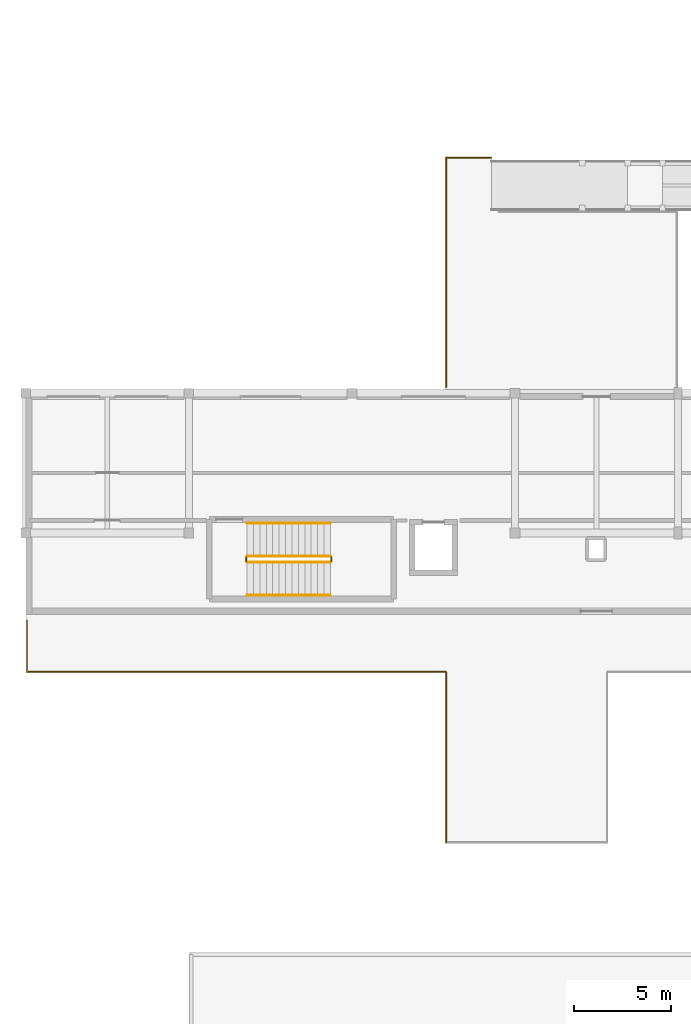
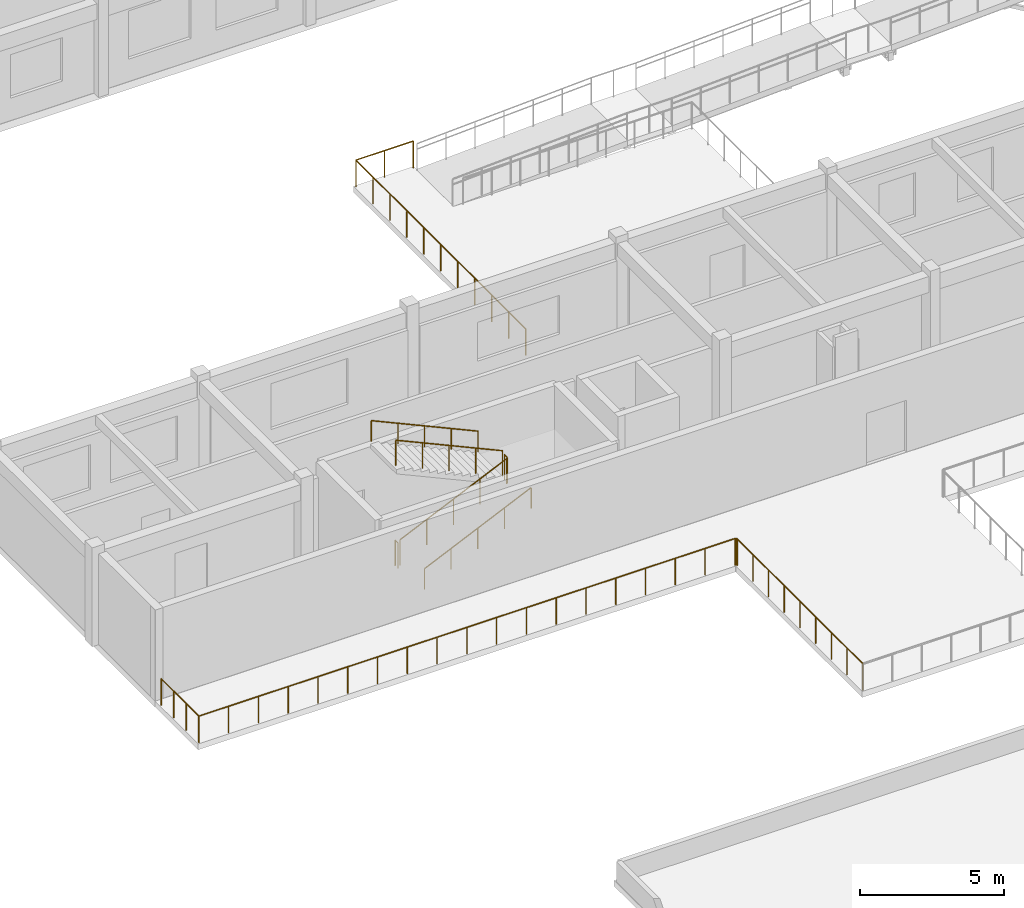
# One storey, part 35 of 41: 8 railings.
"""IFC4 building model written with IfcOpenShell, lengths in metres."""

from ifc_helpers import new_model, si_unit, direction, frame, origin, origin_2d, place, context, subcontext, project, spatial, circle, extrude, material, layer, layer_set, type_object, element, save


model = new_model("IFC4")

# Units and contexts
model_context = context("Model", 3, precision=1e-05, world=origin(), true_north=direction((0.0, 1.0)))
body_context = subcontext(model_context, "Body", "Model", "MODEL_VIEW")
ifc_project = project(units=[si_unit("LENGTHUNIT", "METRE"), si_unit("AREAUNIT", "SQUARE_METRE"), si_unit("VOLUMEUNIT", "CUBIC_METRE"), si_unit("PLANEANGLEUNIT", "RADIAN"), si_unit("MASSUNIT", "GRAM", prefix="KILO")], contexts=[model_context])

# Site, building, storey
site_placement = place(None, origin())
site = spatial("IfcSite", under=ifc_project, at=site_placement, CompositionType="ELEMENT")
building_placement = place(site_placement, origin())
building = spatial("IfcBuilding", under=site, at=building_placement, Name="Malvenik Polytechnic", CompositionType="ELEMENT")
storey_placement = place(building_placement, frame((0.0, 0.0, 17.699951171875)))
storey = spatial("IfcBuildingStorey", under=building, at=storey_placement, Name="L04", CompositionType="ELEMENT", Elevation=17.699951171875)

# Railings
ifc_material_1 = material(Name="Galvanised powder-coated steel and laminated glass guard 1150mm", Category="steel")
ifc_layer_1 = layer(ifc_material_1, 0.070068359375)
ifc_layer_set_1 = layer_set([ifc_layer_1], Name="Galvanised powder-coated steel and laminated glass guard 1150mm")
railing_type_1 = type_object("IfcRailingType", Name="ARC-RL-BAL-1150", PredefinedType="BALUSTRADE", material=ifc_layer_set_1)
railing_1_placement = place(storey_placement, frame((21.659912109375, 70.4599609375, 0.0)))
element("IfcRailing", 1, at=railing_1_placement, inside=storey, type_object=railing_type_1, Name="Terrace Perimeter Balustrade L04 #16", PredefinedType="BALUSTRADE", context=body_context, shape_type="SweptSolid", body=[
    extrude(circle(Radius=0.02392578125, at=origin_2d()), frame((0.0, 0.0, 1.1259765625), z_axis=(0.0, 1.0, 0.0), x_axis=(-1.0, 0.0, 0.0)), (0.0, 0.0, 1.0), 8.739990234375),
    extrude(circle(Radius=0.02392578125, at=origin_2d()), frame((0.0, 8.739990234375, 1.1259765625), z_axis=(-0.041630544712, 0.999133073092, 0.0), x_axis=(-0.999133073092, -0.041630544712, 0.0)), (0.0, 0.0, 1.0), 0.005859375),
    extrude(circle(Radius=0.02392578125, at=origin_2d()), frame((-0.000244140625, 8.745849609375, 1.1259765625), z_axis=(-0.164398987305, 0.986393923832, 0.0), x_axis=(-0.986393923832, -0.164398987305, 0.0)), (0.0, 0.0, 1.0), 0.005859375),
    extrude(circle(Radius=0.02392578125, at=origin_2d()), frame((-0.001220703125, 8.751708984375, 1.1259765625), z_axis=(-0.212429644331, 0.977176363923, 0.0), x_axis=(-0.977176363923, -0.212429644331, 0.0)), (0.0, 0.0, 1.0), 0.005859375),
    extrude(circle(Radius=0.02392578125, at=origin_2d()), frame((-0.00244140625, 8.75732421875, 1.1259765625), z_axis=(-0.328520624941, 0.944496796706, 0.0), x_axis=(-0.944496796706, -0.328520624941, 0.0)), (0.0, 0.0, 1.0), 0.005859375),
    extrude(circle(Radius=0.02392578125, at=origin_2d()), frame((-0.00439453125, 8.762939453125, 1.1259765625), z_axis=(-0.4472135955, 0.894427191, 0.0), x_axis=(-0.894427191, -0.4472135955, 0.0)), (0.0, 0.0, 1.0), 0.006103515625),
    extrude(circle(Radius=0.02392578125, at=origin_2d()), frame((-0.007080078125, 8.768310546875, 1.1259765625), z_axis=(-0.496138938357, 0.868243142124, 0.0), x_axis=(-0.868243142124, -0.496138938357, 0.0)), (0.0, 0.0, 1.0), 0.005859375),
    extrude(circle(Radius=0.02392578125, at=origin_2d()), frame((-0.010009765625, 8.7734375, 1.1259765625), z_axis=(-0.59319903805, 0.805055837353, 0.0), x_axis=(-0.805055837353, -0.59319903805, 0.0)), (0.0, 0.0, 1.0), 0.005859375),
    extrude(circle(Radius=0.02392578125, at=origin_2d()), frame((-0.013427734375, 8.778076171875, 1.1259765625), z_axis=(-0.686623532964, 0.72701315255, 0.0), x_axis=(-0.72701315255, -0.686623532964, 0.0)), (0.0, 0.0, 1.0), 0.006103515625),
    extrude(circle(Radius=0.02392578125, at=origin_2d()), frame((-0.017578125, 8.782470703125, 1.1259765625), z_axis=(-0.728199992693, 0.685364699005, 0.0), x_axis=(-0.685364699005, -0.728199992693, 0.0)), (0.0, 0.0, 1.0), 0.005615234375),
    extrude(circle(Radius=0.02392578125, at=origin_2d()), frame((-0.021728515625, 8.786376953125, 1.1259765625), z_axis=(-0.8, 0.6, 0.0), x_axis=(-0.6, -0.8, 0.0)), (0.0, 0.0, 1.0), 0.006103515625),
    extrude(circle(Radius=0.02392578125, at=origin_2d()), frame((-0.026611328125, 8.7900390625, 1.1259765625), z_axis=(-0.857492925713, 0.514495755428, 0.0), x_axis=(-0.514495755428, -0.857492925713, 0.0)), (0.0, 0.0, 1.0), 0.005615234375),
    extrude(circle(Radius=0.02392578125, at=origin_2d()), frame((-0.031494140625, 8.79296875, 1.1259765625), z_axis=(-0.910366477463, 0.413802944301, 0.0), x_axis=(-0.413802944301, -0.910366477463, 0.0)), (0.0, 0.0, 1.0), 0.005859375),
    extrude(circle(Radius=0.02392578125, at=origin_2d()), frame((-0.036865234375, 8.79541015625, 1.1259765625), z_axis=(-0.944496796706, 0.328520624941, 0.0), x_axis=(-0.328520624941, -0.944496796706, 0.0)), (0.0, 0.0, 1.0), 0.005859375),
    extrude(circle(Radius=0.02392578125, at=origin_2d()), frame((-0.04248046875, 8.79736328125, 1.1259765625), z_axis=(-0.967617272397, 0.252421897147, 0.0), x_axis=(-0.252421897147, -0.967617272397, 0.0)), (0.0, 0.0, 1.0), 0.005859375),
    extrude(circle(Radius=0.02392578125, at=origin_2d()), frame((-0.048095703125, 8.798828125, 1.1259765625), z_axis=(-0.986393923832, 0.164398987305, 0.0), x_axis=(-0.164398987305, -0.986393923832, 0.0)), (0.0, 0.0, 1.0), 0.005859375),
    extrude(circle(Radius=0.02392578125, at=origin_2d()), frame((-0.053955078125, 8.7998046875, 1.1259765625), z_axis=(-0.999133073092, 0.041630544712, 0.0), x_axis=(-0.041630544712, -0.999133073092, 0.0)), (0.0, 0.0, 1.0), 0.005859375),
    extrude(circle(Radius=0.02392578125, at=origin_2d()), frame((-0.059814453125, 8.800048828125, 1.1259765625), z_axis=(-1.0, 0.0, 0.0), x_axis=(0.0, -1.0, 0.0)), (0.0, 0.0, 1.0), 21.5400390625),
    extrude(circle(Radius=0.02392578125, at=origin_2d()), frame((-21.599853515625, 8.800048828125, 1.1259765625), z_axis=(0.0, 1.0, 0.0), x_axis=(-1.0, 0.0, 0.0)), (0.0, 0.0, 1.0), 2.619873046875),
    extrude(circle(Radius=0.02099609375, at=origin_2d()), origin(), (0.0, 0.0, 1.0), 1.101806640625),
    extrude(circle(Radius=0.02099609375, at=origin_2d()), frame((0.0, 1.092529296875, 0.0)), (0.0, 0.0, 1.0), 1.101806640625),
    extrude(circle(Radius=0.02099609375, at=origin_2d()), frame((0.0, 2.18505859375, 0.0)), (0.0, 0.0, 1.0), 1.101806640625),
    extrude(circle(Radius=0.02099609375, at=origin_2d()), frame((0.0, 3.277587890625, 0.0)), (0.0, 0.0, 1.0), 1.101806640625),
    extrude(circle(Radius=0.02099609375, at=origin_2d()), frame((0.0, 4.3701171875, 0.0)), (0.0, 0.0, 1.0), 1.101806640625),
    extrude(circle(Radius=0.02099609375, at=origin_2d()), frame((0.0, 5.46240234375, 0.0)), (0.0, 0.0, 1.0), 1.101806640625),
    extrude(circle(Radius=0.02099609375, at=origin_2d()), frame((0.0, 6.554931640625, 0.0)), (0.0, 0.0, 1.0), 1.101806640625),
    extrude(circle(Radius=0.02099609375, at=origin_2d()), frame((0.0, 7.6474609375, 0.0)), (0.0, 0.0, 1.0), 1.101806640625),
    extrude(circle(Radius=0.02099609375, at=origin_2d()), frame((0.0, 8.739990234375, 0.0)), (0.0, 0.0, 1.0), 1.101806640625),
    extrude(circle(Radius=0.02099609375, at=origin_2d()), frame((-0.000244140625, 8.745849609375, 0.0)), (0.0, 0.0, 1.0), 1.101806640625),
    extrude(circle(Radius=0.02099609375, at=origin_2d()), frame((-0.001220703125, 8.751708984375, 0.0)), (0.0, 0.0, 1.0), 1.101806640625),
    extrude(circle(Radius=0.02099609375, at=origin_2d()), frame((-0.00244140625, 8.75732421875, 0.0)), (0.0, 0.0, 1.0), 1.101806640625),
    extrude(circle(Radius=0.02099609375, at=origin_2d()), frame((-0.00439453125, 8.762939453125, 0.0)), (0.0, 0.0, 1.0), 1.101806640625),
    extrude(circle(Radius=0.02099609375, at=origin_2d()), frame((-0.007080078125, 8.768310546875, 0.0)), (0.0, 0.0, 1.0), 1.101806640625),
    extrude(circle(Radius=0.02099609375, at=origin_2d()), frame((-0.010009765625, 8.7734375, 0.0)), (0.0, 0.0, 1.0), 1.101806640625),
    extrude(circle(Radius=0.02099609375, at=origin_2d()), frame((-0.013427734375, 8.778076171875, 0.0)), (0.0, 0.0, 1.0), 1.101806640625),
    extrude(circle(Radius=0.02099609375, at=origin_2d()), frame((-0.017578125, 8.782470703125, 0.0)), (0.0, 0.0, 1.0), 1.101806640625),
    extrude(circle(Radius=0.02099609375, at=origin_2d()), frame((-0.021728515625, 8.786376953125, 0.0)), (0.0, 0.0, 1.0), 1.101806640625),
    extrude(circle(Radius=0.02099609375, at=origin_2d()), frame((-0.026611328125, 8.7900390625, 0.0)), (0.0, 0.0, 1.0), 1.101806640625),
    extrude(circle(Radius=0.02099609375, at=origin_2d()), frame((-0.031494140625, 8.79296875, 0.0)), (0.0, 0.0, 1.0), 1.101806640625),
    extrude(circle(Radius=0.02099609375, at=origin_2d()), frame((-0.036865234375, 8.79541015625, 0.0)), (0.0, 0.0, 1.0), 1.101806640625),
    extrude(circle(Radius=0.02099609375, at=origin_2d()), frame((-0.04248046875, 8.79736328125, 0.0)), (0.0, 0.0, 1.0), 1.101806640625),
    extrude(circle(Radius=0.02099609375, at=origin_2d()), frame((-0.048095703125, 8.798828125, 0.0)), (0.0, 0.0, 1.0), 1.101806640625),
    extrude(circle(Radius=0.02099609375, at=origin_2d()), frame((-0.053955078125, 8.7998046875, 0.0)), (0.0, 0.0, 1.0), 1.101806640625),
    extrude(circle(Radius=0.02099609375, at=origin_2d()), frame((-0.059814453125, 8.800048828125, 0.0)), (0.0, 0.0, 1.0), 1.101806640625),
    extrude(circle(Radius=0.02099609375, at=origin_2d()), frame((-1.256591796875, 8.800048828125, 0.0)), (0.0, 0.0, 1.0), 1.101806640625),
    extrude(circle(Radius=0.02099609375, at=origin_2d()), frame((-2.453125, 8.800048828125, 0.0)), (0.0, 0.0, 1.0), 1.101806640625),
    extrude(circle(Radius=0.02099609375, at=origin_2d()), frame((-3.64990234375, 8.800048828125, 0.0)), (0.0, 0.0, 1.0), 1.101806640625),
    extrude(circle(Radius=0.02099609375, at=origin_2d()), frame((-4.846435546875, 8.800048828125, 0.0)), (0.0, 0.0, 1.0), 1.101806640625),
    extrude(circle(Radius=0.02099609375, at=origin_2d()), frame((-6.043212890625, 8.800048828125, 0.0)), (0.0, 0.0, 1.0), 1.101806640625),
    extrude(circle(Radius=0.02099609375, at=origin_2d()), frame((-7.23974609375, 8.800048828125, 0.0)), (0.0, 0.0, 1.0), 1.101806640625),
    extrude(circle(Radius=0.02099609375, at=origin_2d()), frame((-8.4365234375, 8.800048828125, 0.0)), (0.0, 0.0, 1.0), 1.101806640625),
    extrude(circle(Radius=0.02099609375, at=origin_2d()), frame((-9.633056640625, 8.800048828125, 0.0)), (0.0, 0.0, 1.0), 1.101806640625),
    extrude(circle(Radius=0.02099609375, at=origin_2d()), frame((-10.829833984375, 8.800048828125, 0.0)), (0.0, 0.0, 1.0), 1.101806640625),
    extrude(circle(Radius=0.02099609375, at=origin_2d()), frame((-12.026611328125, 8.800048828125, 0.0)), (0.0, 0.0, 1.0), 1.101806640625),
    extrude(circle(Radius=0.02099609375, at=origin_2d()), frame((-13.22314453125, 8.800048828125, 0.0)), (0.0, 0.0, 1.0), 1.101806640625),
    extrude(circle(Radius=0.02099609375, at=origin_2d()), frame((-14.419921875, 8.800048828125, 0.0)), (0.0, 0.0, 1.0), 1.101806640625),
    extrude(circle(Radius=0.02099609375, at=origin_2d()), frame((-15.616455078125, 8.800048828125, 0.0)), (0.0, 0.0, 1.0), 1.101806640625),
    extrude(circle(Radius=0.02099609375, at=origin_2d()), frame((-16.813232421875, 8.800048828125, 0.0)), (0.0, 0.0, 1.0), 1.101806640625),
    extrude(circle(Radius=0.02099609375, at=origin_2d()), frame((-18.009765625, 8.800048828125, 0.0)), (0.0, 0.0, 1.0), 1.101806640625),
    extrude(circle(Radius=0.02099609375, at=origin_2d()), frame((-19.20654296875, 8.800048828125, 0.0)), (0.0, 0.0, 1.0), 1.101806640625),
    extrude(circle(Radius=0.02099609375, at=origin_2d()), frame((-20.403076171875, 8.800048828125, 0.0)), (0.0, 0.0, 1.0), 1.101806640625),
    extrude(circle(Radius=0.02099609375, at=origin_2d()), frame((-21.599853515625, 8.800048828125, 0.0)), (0.0, 0.0, 1.0), 1.101806640625),
    extrude(circle(Radius=0.02099609375, at=origin_2d()), frame((-21.599853515625, 9.67333984375, 0.0)), (0.0, 0.0, 1.0), 1.101806640625),
    extrude(circle(Radius=0.02099609375, at=origin_2d()), frame((-21.599853515625, 10.546630859375, 0.0)), (0.0, 0.0, 1.0), 1.101806640625),
    extrude(circle(Radius=0.02099609375, at=origin_2d()), frame((-21.599853515625, 11.419921875, 0.0)), (0.0, 0.0, 1.0), 1.101806640625),
])
railing_2_placement = place(storey_placement, frame((21.659912109375, 93.919921875, 0.0)))
element("IfcRailing", 2, at=railing_2_placement, inside=storey, type_object=railing_type_1, Name="Terrace Perimeter Balustrade L04 #18", PredefinedType="BALUSTRADE", context=body_context, shape_type="SweptSolid", body=[
    extrude(circle(Radius=0.02392578125, at=origin_2d()), frame((0.0, 0.0, 1.1259765625), z_axis=(0.0, 1.0, 0.0), x_axis=(-1.0, 0.0, 0.0)), (0.0, 0.0, 1.0), 11.820068359375),
    extrude(circle(Radius=0.02392578125, at=origin_2d()), frame((0.0, 11.820068359375, 1.1259765625), z_axis=(1.0, 0.0, 0.0), x_axis=(0.0, 1.0, 0.0)), (0.0, 0.0, 1.0), 2.300048828125),
    extrude(circle(Radius=0.02392578125, at=origin_2d()), frame((2.300048828125, 11.820068359375, 1.1259765625), z_axis=(0.0, -1.0, 0.0), x_axis=(1.0, 0.0, 0.0)), (0.0, 0.0, 1.0), 0.02001953125),
    extrude(circle(Radius=0.02099609375, at=origin_2d()), origin(), (0.0, 0.0, 1.0), 1.101806640625),
    extrude(circle(Radius=0.02099609375, at=origin_2d()), frame((0.0, 1.18212890625, 0.0)), (0.0, 0.0, 1.0), 1.101806640625),
    extrude(circle(Radius=0.02099609375, at=origin_2d()), frame((0.0, 2.364013671875, 0.0)), (0.0, 0.0, 1.0), 1.101806640625),
    extrude(circle(Radius=0.02099609375, at=origin_2d()), frame((0.0, 3.5458984375, 0.0)), (0.0, 0.0, 1.0), 1.101806640625),
    extrude(circle(Radius=0.02099609375, at=origin_2d()), frame((0.0, 4.72802734375, 0.0)), (0.0, 0.0, 1.0), 1.101806640625),
    extrude(circle(Radius=0.02099609375, at=origin_2d()), frame((0.0, 5.91015625, 0.0)), (0.0, 0.0, 1.0), 1.101806640625),
    extrude(circle(Radius=0.02099609375, at=origin_2d()), frame((0.0, 7.092041015625, 0.0)), (0.0, 0.0, 1.0), 1.101806640625),
    extrude(circle(Radius=0.02099609375, at=origin_2d()), frame((0.0, 8.27392578125, 0.0)), (0.0, 0.0, 1.0), 1.101806640625),
    extrude(circle(Radius=0.02099609375, at=origin_2d()), frame((0.0, 9.4560546875, 0.0)), (0.0, 0.0, 1.0), 1.101806640625),
    extrude(circle(Radius=0.02099609375, at=origin_2d()), frame((0.0, 10.63818359375, 0.0)), (0.0, 0.0, 1.0), 1.101806640625),
    extrude(circle(Radius=0.02099609375, at=origin_2d()), frame((0.0, 11.820068359375, 0.0)), (0.0, 0.0, 1.0), 1.101806640625),
    extrude(circle(Radius=0.02099609375, at=origin_2d()), frame((1.14990234375, 11.820068359375, 0.0)), (0.0, 0.0, 1.0), 1.101806640625),
    extrude(circle(Radius=0.02099609375, at=origin_2d()), frame((2.300048828125, 11.820068359375, 0.0)), (0.0, 0.0, 1.0), 1.101806640625),
    extrude(circle(Radius=0.02099609375, at=origin_2d()), frame((2.300048828125, 11.800048828125, 0.0)), (0.0, 0.0, 1.0), 1.101806640625),
])
ifc_material_2 = material(Name="Painted galvanised steel stair well balustrade 1100mm", Category="steel")
ifc_layer_2 = layer(ifc_material_2, 0.050048828125)
ifc_layer_set_2 = layer_set([ifc_layer_2], Name="Painted galvanised steel stair well balustrade 1100mm")
railing_type_2 = type_object("IfcRailingType", Name="ARC-RL-STGD", PredefinedType="BALUSTRADE", material=ifc_layer_set_2)
railing_3_placement = place(storey_placement, frame((11.39990234375, 84.89990234375, 0.150146484375)))
element("IfcRailing", 3, at=railing_3_placement, inside=storey, type_object=railing_type_2, Name="L04 ST-04 stair guard 1", PredefinedType="BALUSTRADE", context=body_context, shape_type="SweptSolid", body=[
    extrude(circle(Radius=0.02392578125, at=origin_2d()), frame((0.0, 0.0, 1.076171875), z_axis=(0.910371800137, 0.0, 0.413791234219), x_axis=(0.0, 1.0, 0.0)), (0.0, 0.0, 1.0), 4.71240234375),
    extrude(circle(Radius=0.02099609375, at=origin_2d()), origin(), (0.0, 0.0, 1.0), 1.052001953125),
    extrude(circle(Radius=0.02099609375, at=origin_2d()), frame((1.072509765625, 0.0, 0.487548828125)), (0.0, 0.0, 1.0), 1.052001953125),
    extrude(circle(Radius=0.02099609375, at=origin_2d()), frame((2.14501953125, 0.0, 0.97509765625)), (0.0, 0.0, 1.0), 1.052001953125),
    extrude(circle(Radius=0.02099609375, at=origin_2d()), frame((3.217529296875, 0.0, 1.46240234375)), (0.0, 0.0, 1.0), 1.052001953125),
    extrude(circle(Radius=0.02099609375, at=origin_2d()), frame((4.2900390625, 0.0, 1.949951171875)), (0.0, 0.0, 1.0), 1.052001953125),
])
railing_4_placement = place(storey_placement, frame((15.739990234375, 84.949951171875, 2.10009765625)))
element("IfcRailing", 4, at=railing_4_placement, inside=storey, type_object=railing_type_2, Name="L04 ST-04 stair guard 2", PredefinedType="BALUSTRADE", context=body_context, shape_type="SweptSolid", body=[
    extrude(circle(Radius=0.02392578125, at=origin_2d()), frame((0.0, 0.0, 1.076171875), z_axis=(0.0, 1.0, 0.0), x_axis=(-1.0, 0.0, 0.0)), (0.0, 0.0, 1.0), 0.199951171875),
    extrude(circle(Radius=0.02099609375, at=origin_2d()), origin(), (0.0, 0.0, 1.0), 1.052001953125),
    extrude(circle(Radius=0.02099609375, at=origin_2d()), frame((0.0, 0.199951171875, 0.0)), (0.0, 0.0, 1.0), 1.052001953125),
])
railing_5_placement = place(storey_placement, frame((15.68994140625, 85.199951171875, 2.25)))
element("IfcRailing", 5, at=railing_5_placement, inside=storey, type_object=railing_type_2, Name="L04 ST-04 stair guard 3", PredefinedType="BALUSTRADE", context=body_context, shape_type="SweptSolid", body=[
    extrude(circle(Radius=0.02392578125, at=origin_2d()), frame((0.0, 0.0, 1.076171875), z_axis=(-0.910371800137, 0.0, 0.413791234219), x_axis=(0.0, -1.0, 0.0)), (0.0, 0.0, 1.0), 4.71240234375),
    extrude(circle(Radius=0.02099609375, at=origin_2d()), origin(), (0.0, 0.0, 1.0), 1.052001953125),
    extrude(circle(Radius=0.02099609375, at=origin_2d()), frame((-1.072509765625, 0.0, 0.487548828125)), (0.0, 0.0, 1.0), 1.052001953125),
    extrude(circle(Radius=0.02099609375, at=origin_2d()), frame((-2.14501953125, 0.0, 0.97509765625)), (0.0, 0.0, 1.0), 1.052001953125),
    extrude(circle(Radius=0.02099609375, at=origin_2d()), frame((-3.217529296875, 0.0, 1.46240234375)), (0.0, 0.0, 1.0), 1.052001953125),
    extrude(circle(Radius=0.02099609375, at=origin_2d()), frame((-4.2900390625, 0.0, 1.949951171875)), (0.0, 0.0, 1.0), 1.052001953125),
])
railing_6_placement = place(storey_placement, frame((11.35009765625, 84.949951171875, 0.0)))
element("IfcRailing", 6, at=railing_6_placement, inside=storey, type_object=railing_type_2, Name="L04 ST-04 stair guard 4", PredefinedType="BALUSTRADE", context=body_context, shape_type="SweptSolid", body=[
    extrude(circle(Radius=0.02392578125, at=origin_2d()), frame((0.0, 0.0, 1.076171875), z_axis=(0.0, 1.0, 0.0), x_axis=(-1.0, 0.0, 0.0)), (0.0, 0.0, 1.0), 0.199951171875),
    extrude(circle(Radius=0.02099609375, at=origin_2d()), origin(), (0.0, 0.0, 1.0), 1.052001953125),
    extrude(circle(Radius=0.02099609375, at=origin_2d()), frame((0.0, 0.199951171875, 0.0)), (0.0, 0.0, 1.0), 1.052001953125),
])
ifc_material_3 = material(Name="Brushed stainless steel 1.4301 stair wall handrail", Category="steel")
ifc_layer_3 = layer(ifc_material_3, 0.044921875)
ifc_layer_set_3 = layer_set([ifc_layer_3], Name="Brushed stainless steel 1.4301 stair wall handrail")
railing_type_3 = type_object("IfcRailingType", Name="ARC-RL-STHR", PredefinedType="HANDRAIL", material=ifc_layer_set_3)
railing_7_placement = place(storey_placement, frame((11.39990234375, 83.199951171875, 0.150146484375)))
element("IfcRailing", 7, at=railing_7_placement, inside=storey, type_object=railing_type_3, Name="L04 ST-04 stair handrail 1", PredefinedType="HANDRAIL", context=body_context, shape_type="SweptSolid", body=[
    extrude(circle(Radius=0.02392578125, at=origin_2d()), frame((0.0, 0.0, 0.8759765625), z_axis=(0.910371800137, 0.0, 0.413791234219), x_axis=(0.0, 1.0, 0.0)), (0.0, 0.0, 1.0), 4.71240234375),
    extrude(circle(Radius=0.02099609375, at=origin_2d()), origin(), (0.0, 0.0, 1.0), 0.851806640625),
    extrude(circle(Radius=0.02099609375, at=origin_2d()), frame((1.072509765625, 0.0, 0.487548828125)), (0.0, 0.0, 1.0), 0.851806640625),
    extrude(circle(Radius=0.02099609375, at=origin_2d()), frame((2.14501953125, 0.0, 0.97509765625)), (0.0, 0.0, 1.0), 0.851806640625),
    extrude(circle(Radius=0.02099609375, at=origin_2d()), frame((3.217529296875, 0.0, 1.46240234375)), (0.0, 0.0, 1.0), 0.851806640625),
    extrude(circle(Radius=0.02099609375, at=origin_2d()), frame((4.2900390625, 0.0, 1.949951171875)), (0.0, 0.0, 1.0), 0.851806640625),
])
railing_8_placement = place(storey_placement, frame((15.68994140625, 86.89990234375, 2.25)))
element("IfcRailing", 8, at=railing_8_placement, inside=storey, type_object=railing_type_3, Name="L04 ST-04 stair handrail 2", PredefinedType="HANDRAIL", context=body_context, shape_type="SweptSolid", body=[
    extrude(circle(Radius=0.02392578125, at=origin_2d()), frame((0.0, 0.0, 0.8759765625), z_axis=(-0.910371800137, 0.0, 0.413791234219), x_axis=(0.0, -1.0, 0.0)), (0.0, 0.0, 1.0), 4.71240234375),
    extrude(circle(Radius=0.02099609375, at=origin_2d()), origin(), (0.0, 0.0, 1.0), 0.851806640625),
    extrude(circle(Radius=0.02099609375, at=origin_2d()), frame((-1.072509765625, 0.0, 0.487548828125)), (0.0, 0.0, 1.0), 0.851806640625),
    extrude(circle(Radius=0.02099609375, at=origin_2d()), frame((-2.14501953125, 0.0, 0.97509765625)), (0.0, 0.0, 1.0), 0.851806640625),
    extrude(circle(Radius=0.02099609375, at=origin_2d()), frame((-3.217529296875, 0.0, 1.46240234375)), (0.0, 0.0, 1.0), 0.851806640625),
    extrude(circle(Radius=0.02099609375, at=origin_2d()), frame((-4.2900390625, 0.0, 1.949951171875)), (0.0, 0.0, 1.0), 0.851806640625),
])

save(model, "model.ifc")
